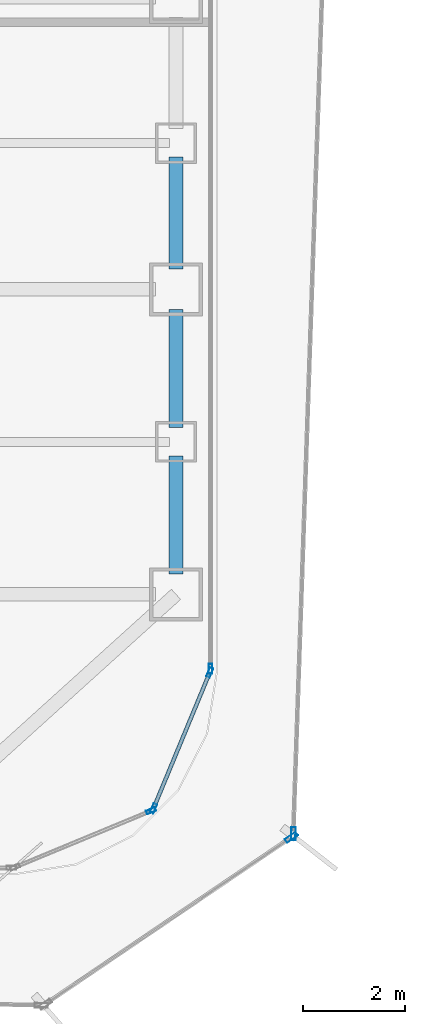
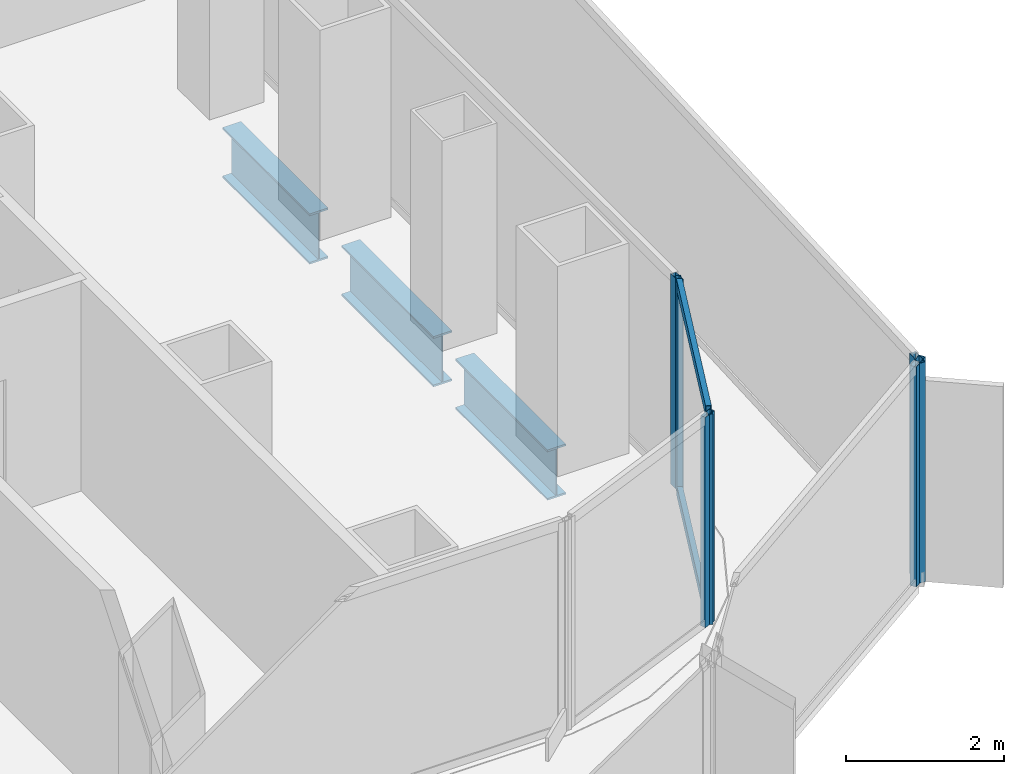
# One storey, part 8 of 22: 8 members, 3 beams, 5 elements without a shape of their own.
"""IFC4 building model written with IfcOpenShell, lengths in metres."""

from ifc_helpers import new_model, si_unit, direction, frame, origin, origin_2d, place, context, subcontext, project, spatial, hollow_rectangle, i_section, extrude, source, transform, mapped, material, layer, layer_set, material_profile, profile_set, type_object, element, aggregate, save


model = new_model("IFC4")

# Units and contexts
model_context = context("Model", 3, precision=1e-05, world=origin(), true_north=direction((0.0, 1.0)))
body_context = subcontext(model_context, "Body", "Model", "MODEL_VIEW")
ifc_project = project(units=[si_unit("LENGTHUNIT", "METRE"), si_unit("AREAUNIT", "SQUARE_METRE"), si_unit("VOLUMEUNIT", "CUBIC_METRE"), si_unit("PLANEANGLEUNIT", "RADIAN"), si_unit("MASSUNIT", "GRAM", prefix="KILO")], contexts=[model_context])

# Site, building, storey
site_placement = place(None, origin())
site = spatial("IfcSite", under=ifc_project, at=site_placement, CompositionType="ELEMENT")
building_placement = place(site_placement, origin())
building = spatial("IfcBuilding", under=site, at=building_placement, Name="Kolveth Station Tower", CompositionType="ELEMENT")
storey_placement = place(building_placement, frame((0.0, 0.0, 84.60009765625)))
storey = spatial("IfcBuildingStorey", under=building, at=storey_placement, Name="L22", CompositionType="ELEMENT", Elevation=84.60009765625)

# Beams
ifc_material_1 = material(Name="Steel S355", Category="steel")
ifc_material_profile_1 = material_profile(ifc_material_1, i_section(OverallWidth=0.26904296875, OverallDepth=0.77490234375, WebThickness=0.01708984375, FlangeThickness=0.0283203125, at=origin_2d()), Name="W760x220")
ifc_profile_set_1 = profile_set([ifc_material_profile_1], Name="Steel S355")
beam_type = type_object("IfcBeamType", Name="Beam_SP1", PredefinedType="SPANDREL", material=ifc_profile_set_1)
shared_shape_1 = source(origin(), body_context, "Body", "SweptSolid", [
    extrude(i_section(OverallWidth=0.26904296875, OverallDepth=0.77490234375, WebThickness=0.01708984375, FlangeThickness=0.0283203125, at=origin_2d()), origin(), (0.0, 0.0, 1.0), 2.320068359375),
])
for number, where, z_axis, x_axis, name in (
    (1, (46.199951171875, 5.89990234375, -0.66748046875), (0.0, 1.0, 0.0), (-1.0, 0.0, 0.0), "L22 Perimeter Spandrel BM-L22-PE-1"),
    (2, (46.199951171875, 8.780029296875, -0.66748046875), (0.0, 1.0, 0.0), (-1.0, 0.0, 0.0), "L22 Perimeter Spandrel BM-L22-PE-2"),
):
    element("IfcBeam", number, at=place(storey_placement, frame(where, z_axis=z_axis, x_axis=x_axis)), inside=storey, type_object=beam_type, Name=name, PredefinedType="SPANDREL", context=body_context, shape_type="MappedRepresentation", body=[
        mapped(shared_shape_1, transform((0.0, 0.0, 0.0), x_axis=(1.0, 0.0, 0.0), y_axis=(0.0, 1.0, 0.0), z_axis=(0.0, 0.0, 1.0), scale=1.0)),
    ])
shared_shape_2 = source(origin(), body_context, "Body", "SweptSolid", [
    extrude(i_section(OverallWidth=0.26904296875, OverallDepth=0.77490234375, WebThickness=0.01708984375, FlangeThickness=0.0283203125, at=origin_2d()), origin(), (0.0, 0.0, 1.0), 2.2001953125),
])
beam_placement = place(storey_placement, frame((46.199951171875, 11.89990234375, -0.66748046875), z_axis=(0.0, 1.0, 0.0), x_axis=(-1.0, 0.0, 0.0)))
element("IfcBeam", 3, at=beam_placement, inside=storey, type_object=beam_type, Name="L22 Perimeter Spandrel BM-L22-PE-3", PredefinedType="SPANDREL", context=body_context, shape_type="MappedRepresentation", body=[
    mapped(shared_shape_2, transform((0.0, 0.0, 0.0), x_axis=(1.0, 0.0, 0.0), y_axis=(0.0, 1.0, 0.0), z_axis=(0.0, 0.0, 1.0), scale=1.0)),
])

# Curtain wall, members
ifc_material_2 = material(Name="Aluminium 6063-T6 and low-E dark glass", Category="aluminium")
ifc_layer_1 = layer(ifc_material_2, 0.179931640625)
ifc_layer_set_1 = layer_set([ifc_layer_1], Name="Aluminium 6063-T6 and low-E dark glass")
curtain_wall_type_1 = type_object("IfcCurtainWallType", Name="CurtainWall_CW-Z1", PredefinedType="NOTDEFINED", material=ifc_layer_set_1)
curtain_wall_1_placement = place(storey_placement, origin())
curtain_wall_1 = element("IfcCurtainWall", 4, at=curtain_wall_1_placement, inside=storey, type_object=curtain_wall_type_1, Name="L22 Inner Thermal Curtain Wall 2", PredefinedType="NOTDEFINED")
ifc_material_3 = material(Name="Black anodized aluminium 6063-T6", Category="aluminium")
ifc_material_profile_2 = material_profile(ifc_material_3, hollow_rectangle(XDim=0.074951171875, YDim=0.159912109375, WallThickness=0.0048828125, at=origin_2d()), Name="ALU-75x160x5")
ifc_profile_set_2 = profile_set([ifc_material_profile_2], Name="Black anodized aluminium 6063-T6")
member_type_1 = type_object("IfcMemberType", Name="Transom_TR1", PredefinedType="USERDEFINED", material=ifc_profile_set_2)
shared_shape_3 = source(origin(), body_context, "Body", "SweptSolid", [
    extrude(hollow_rectangle(XDim=0.074951171875, YDim=0.159912109375, WallThickness=0.0048828125, at=origin_2d()), origin(), (0.0, 0.0, 1.0), 2.819580078125),
])
member_1_placement = place(storey_placement, frame((45.772216796875, 1.32568359375, 0.037353515625), z_axis=(0.382708655389, 0.923869084389, 0.0), x_axis=(-0.923869084389, 0.382708655389, 0.0)))
member_1 = element("IfcMember", 5, at=member_1_placement, type_object=member_type_1, Name="CW-Z1 transom 1.1", ObjectType="TRANSOM", PredefinedType="USERDEFINED", context=body_context, shape_type="MappedRepresentation", body=[
    mapped(shared_shape_3, transform((0.0, 0.0, 0.0), x_axis=(1.0, 0.0, 0.0), y_axis=(0.0, 1.0, 0.0), z_axis=(0.0, 0.0, 1.0), scale=1.0)),
])
member_2_placement = place(storey_placement, frame((45.772216796875, 1.32568359375, 3.202392578125), z_axis=(0.382708655389, 0.923869084389, 0.0), x_axis=(-0.923869084389, 0.382708655389, 0.0)))
member_2 = element("IfcMember", 6, at=member_2_placement, type_object=member_type_1, Name="CW-Z1 transom 1.2", ObjectType="TRANSOM", PredefinedType="USERDEFINED", context=body_context, shape_type="MappedRepresentation", body=[
    mapped(shared_shape_3, transform((0.0, 0.0, 0.0), x_axis=(1.0, 0.0, 0.0), y_axis=(0.0, 1.0, 0.0), z_axis=(0.0, 0.0, 1.0), scale=1.0)),
])

# Curtain wall, member
ifc_material_4 = material(Name="Black anodized aluminium 6063-T6 and dark solar glass", Category="aluminium")
ifc_layer_2 = layer(ifc_material_4, 0.159912109375)
ifc_layer_set_2 = layer_set([ifc_layer_2], Name="Black anodized aluminium 6063-T6 and dark solar glass")
curtain_wall_type_2 = type_object("IfcCurtainWallType", Name="OUTER SKIN CW-OS", PredefinedType="NOTDEFINED", material=ifc_layer_set_2)
curtain_wall_2_placement = place(storey_placement, origin())
curtain_wall_2 = element("IfcCurtainWall", 7, at=curtain_wall_2_placement, inside=storey, type_object=curtain_wall_type_2, Name="L22 Outer Ventilated Skin Curtain Wall 1", PredefinedType="NOTDEFINED")
ifc_material_profile_3 = material_profile(ifc_material_3, hollow_rectangle(XDim=0.090087890625, YDim=0.260009765625, WallThickness=0.0048828125, at=origin_2d()), Name="ALU-90x260x5")
ifc_profile_set_3 = profile_set([ifc_material_profile_3], Name="Black anodized aluminium 6063-T6")
member_type_2 = type_object("IfcMemberType", Name="FIN MULLION ML-OS", PredefinedType="MULLION", material=ifc_profile_set_3)
shared_shape_4 = source(origin(), body_context, "Body", "SweptSolid", [
    extrude(hollow_rectangle(XDim=0.090087890625, YDim=0.260009765625, WallThickness=0.0048828125, at=origin_2d()), origin(), (0.0, 0.0, 1.0), 3.389892578125),
])
member_3_placement = place(storey_placement, frame((48.4716796875, 0.722412109375, 0.0), z_axis=(0.0, 0.0, 1.0), x_axis=(-0.561141488996, 0.827719897868, 0.0)))
member_3 = element("IfcMember", 8, at=member_3_placement, type_object=member_type_2, Name="CW-OS mullion 2", PredefinedType="MULLION", context=body_context, shape_type="MappedRepresentation", body=[
    mapped(shared_shape_4, transform((0.0, 0.0, 0.0), x_axis=(1.0, 0.0, 0.0), y_axis=(0.0, 1.0, 0.0), z_axis=(0.0, 0.0, 1.0), scale=1.0)),
])
aggregate(curtain_wall_2, [member_3])

curtain_wall_3_placement = place(storey_placement, origin())
curtain_wall_3 = element("IfcCurtainWall", 9, at=curtain_wall_3_placement, inside=storey, type_object=curtain_wall_type_2, Name="L22 Outer Ventilated Skin Curtain Wall 2", PredefinedType="NOTDEFINED")
member_4_placement = place(storey_placement, frame((48.510498046875, 0.79248046875, 0.0), z_axis=(0.0, 0.0, 1.0), x_axis=(-0.999412044869, 0.034286507121, 0.0)))
member_4 = element("IfcMember", 10, at=member_4_placement, type_object=member_type_2, Name="CW-OS mullion 1", PredefinedType="MULLION", context=body_context, shape_type="MappedRepresentation", body=[
    mapped(shared_shape_4, transform((0.0, 0.0, 0.0), x_axis=(1.0, 0.0, 0.0), y_axis=(0.0, 1.0, 0.0), z_axis=(0.0, 0.0, 1.0), scale=1.0)),
])
aggregate(curtain_wall_3, [member_4])

curtain_wall_4_placement = place(storey_placement, origin())
curtain_wall_4 = element("IfcCurtainWall", 11, at=curtain_wall_4_placement, inside=storey, type_object=curtain_wall_type_1, Name="L22 Inner Thermal Curtain Wall 1", PredefinedType="NOTDEFINED")
ifc_material_profile_4 = material_profile(ifc_material_3, hollow_rectangle(XDim=0.074951171875, YDim=0.18994140625, WallThickness=0.0048828125, at=origin_2d()), Name="ALU-75x190x5")
ifc_profile_set_4 = profile_set([ifc_material_profile_4], Name="Black anodized aluminium 6063-T6")
member_type_3 = type_object("IfcMemberType", Name="Mullion_ML1", PredefinedType="MULLION", material=ifc_profile_set_4)
shared_shape_5 = source(origin(), body_context, "Body", "SweptSolid", [
    extrude(hollow_rectangle(XDim=0.074951171875, YDim=0.18994140625, WallThickness=0.0048828125, at=origin_2d()), origin(), (0.0, 0.0, 1.0), 3.239990234375),
])
member_5_placement = place(storey_placement, frame((45.708984375, 1.241943359375, 0.0), z_axis=(0.0, 0.0, 1.0), x_axis=(-0.382672990201, 0.923883857728, 0.0)))
member_5 = element("IfcMember", 12, at=member_5_placement, type_object=member_type_3, Name="CW-Z1 mullion 2", PredefinedType="MULLION", context=body_context, shape_type="MappedRepresentation", body=[
    mapped(shared_shape_5, transform((0.0, 0.0, 0.0), x_axis=(1.0, 0.0, 0.0), y_axis=(0.0, 1.0, 0.0), z_axis=(0.0, 0.0, 1.0), scale=1.0)),
])
aggregate(curtain_wall_4, [member_5])

# Member
member_6_placement = place(storey_placement, frame((45.758056640625, 1.291015625, 0.0), z_axis=(0.0, 0.0, 1.0), x_axis=(-0.923883857728, 0.382672990201, 0.0)))
member_6 = element("IfcMember", 13, at=member_6_placement, type_object=member_type_3, Name="CW-Z1 mullion 1", PredefinedType="MULLION", context=body_context, shape_type="MappedRepresentation", body=[
    mapped(shared_shape_5, transform((0.0, 0.0, 0.0), x_axis=(1.0, 0.0, 0.0), y_axis=(0.0, 1.0, 0.0), z_axis=(0.0, 0.0, 1.0), scale=1.0)),
])

member_7_placement = place(storey_placement, frame((46.86572265625, 3.96533203125, 0.0), z_axis=(0.0, 0.0, 1.0), x_axis=(-0.923883857728, 0.382672990201, 0.0)))
member_7 = element("IfcMember", 14, at=member_7_placement, type_object=member_type_3, Name="CW-Z1 mullion 2", PredefinedType="MULLION", context=body_context, shape_type="MappedRepresentation", body=[
    mapped(shared_shape_5, transform((0.0, 0.0, 0.0), x_axis=(1.0, 0.0, 0.0), y_axis=(0.0, 1.0, 0.0), z_axis=(0.0, 0.0, 1.0), scale=1.0)),
])

aggregate(curtain_wall_1, [member_6, member_7, member_1, member_2])

# Curtain wall, member
curtain_wall_5_placement = place(storey_placement, origin())
curtain_wall_5 = element("IfcCurtainWall", 15, at=curtain_wall_5_placement, inside=storey, type_object=curtain_wall_type_1, Name="L22 Inner Thermal Curtain Wall 3", PredefinedType="NOTDEFINED")
member_8_placement = place(storey_placement, frame((46.8798828125, 4.03759765625, 0.0), z_axis=(0.0, 0.0, 1.0), x_axis=(-1.0, 0.0, 0.0)))
member_8 = element("IfcMember", 16, at=member_8_placement, type_object=member_type_3, Name="CW-Z1 mullion 1", PredefinedType="MULLION", context=body_context, shape_type="MappedRepresentation", body=[
    mapped(shared_shape_5, transform((0.0, 0.0, 0.0), x_axis=(1.0, 0.0, 0.0), y_axis=(0.0, 1.0, 0.0), z_axis=(0.0, 0.0, 1.0), scale=1.0)),
])
aggregate(curtain_wall_5, [member_8])

save(model, "model.ifc")
